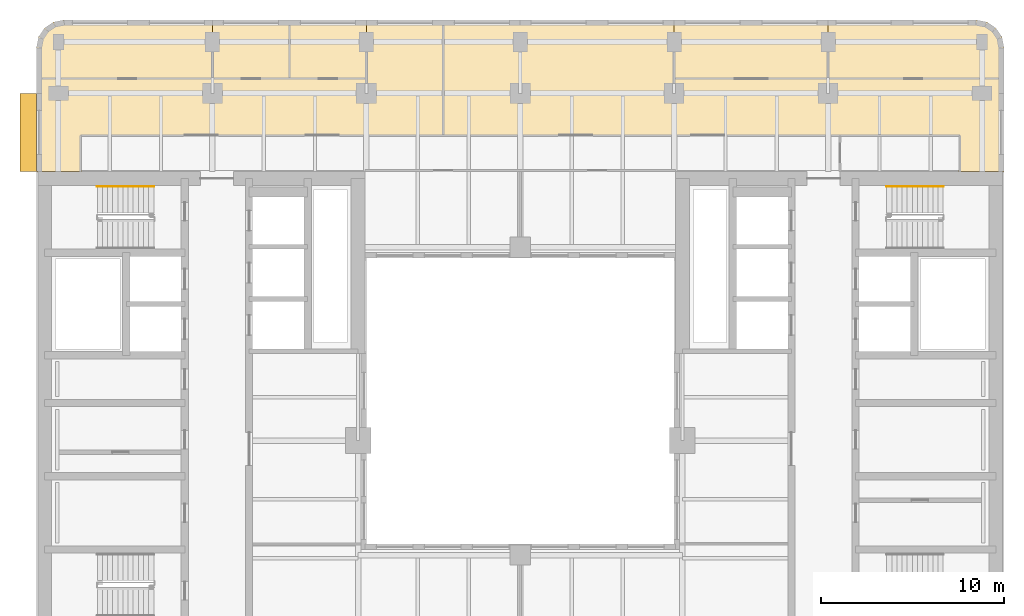
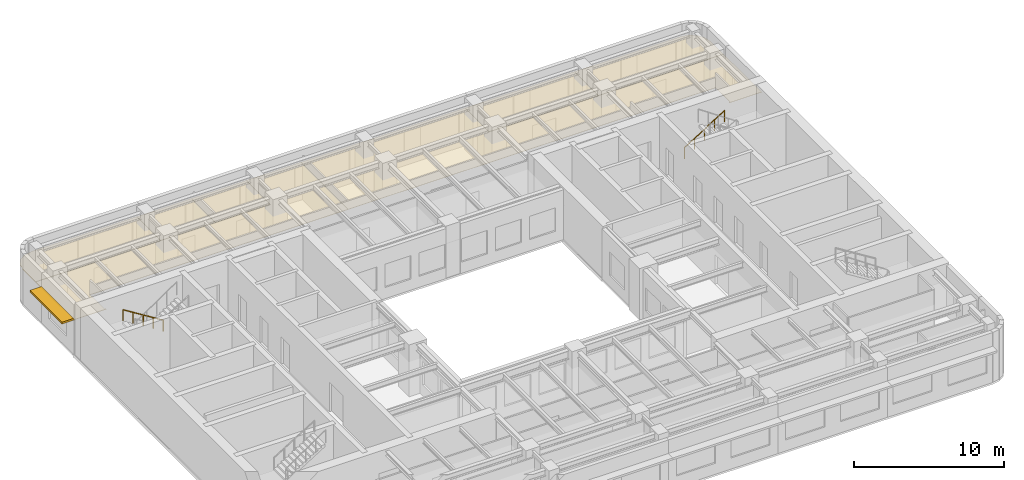
# One storey, part 11 of 11: 7 coverings, 2 railings, 1 shading device.
"""IFC4 building model written with IfcOpenShell, lengths in metres."""

import ifcopenshell
import ifcopenshell.guid

model = None  # the IFC model being written
_history = None  # IfcOwnerHistory: only IFC2X3 demands one
_inside = {}  # id of a spatial element -> (the spatial element, [elements in it])
_under = {}  # id of a project, library or spatial element -> (it, [spatial elements below it])
_declared = {}  # id of a project -> (the project, [libraries it declares])
_typed = {}  # id of a type object -> (the type object, [elements of that type])
_made_of = {}  # id of a material, layer set ... -> (it, [elements and type objects made of it])


def new_model(schema):
    """Start an empty IFC model of exactly this schema.

    Asked for "IFC4X3", IfcOpenShell would pick the latest addendum, in which some entities
    have other attributes; the version numbers below select the first issue.
    IFC2X3 requires an IfcOwnerHistory on every rooted entity: one is made here for all.
    """
    global model, _history
    if schema == "IFC4X3":
        model = ifcopenshell.file(schema_version=(4, 3, 0, 0))
    else:
        model = ifcopenshell.file(schema=schema)
    _inside.clear()
    _under.clear()
    _declared.clear()
    _typed.clear()
    _made_of.clear()
    _history = None
    if model.schema == "IFC2X3":
        org = make("IfcOrganization", Name="unknown")
        user = make(
            "IfcPersonAndOrganization",
            ThePerson=make("IfcPerson", FamilyName="unknown"),
            TheOrganization=org,
        )
        app = make(
            "IfcApplication",
            ApplicationDeveloper=org,
            Version="unknown",
            ApplicationFullName="unknown",
            ApplicationIdentifier="unknown",
        )
        _history = make(
            "IfcOwnerHistory",
            OwningUser=user,
            OwningApplication=app,
            ChangeAction="ADDED",
            CreationDate=0,
        )
    return model


def make(cls, **values):
    """One entity of the class cls with the attributes given. An attribute that is None is left unset."""
    return model.create_entity(
        cls, **{name: value for name, value in values.items() if value is not None}
    )


def rooted(cls, **values):
    """An entity with a GlobalId (a new one), such as an element, a storey or a relation."""
    return make(cls, GlobalId=ifcopenshell.guid.new(), OwnerHistory=_history, **values)


def si_unit(unit_type, name, prefix=None):
    """IfcSIUnit, for example si_unit("LENGTHUNIT", "METRE", prefix="MILLI")."""
    return make("IfcSIUnit", UnitType=unit_type, Prefix=prefix, Name=name)


def assignment(units):
    """IfcUnitAssignment: the units of a project."""
    return None if units is None else make("IfcUnitAssignment", Units=units)


def point(xyz):
    """IfcCartesianPoint."""
    return None if xyz is None else make("IfcCartesianPoint", Coordinates=xyz)


def direction(xyz):
    """IfcDirection."""
    return None if xyz is None else make("IfcDirection", DirectionRatios=xyz)


def frame(location, z_axis=None, x_axis=None):
    """IfcAxis2Placement3D, a coordinate frame: its origin and axes. An axis left out is left unset."""
    return make(
        "IfcAxis2Placement3D",
        Location=point(location),
        Axis=direction(z_axis),
        RefDirection=direction(x_axis),
    )


def frame_2d(location, x_axis=None):
    """IfcAxis2Placement2D, a coordinate frame in the plane: its origin and x axis."""
    return make(
        "IfcAxis2Placement2D", Location=point(location), RefDirection=direction(x_axis)
    )


def origin():
    """The frame at (0, 0, 0) with its axes left unset."""
    return frame((0.0, 0.0, 0.0))


def origin_2d():
    """The frame at (0, 0) in the plane with its x axis left unset."""
    return frame_2d((0.0, 0.0))


def place(relative_to, where):
    """IfcLocalPlacement: puts the frame where relative to a parent placement (None: the world)."""
    return make(
        "IfcLocalPlacement", PlacementRelTo=relative_to, RelativePlacement=where
    )


def context(
    kind, dimensions, precision=None, world=None, true_north=None, identifier=None
):
    """IfcGeometricRepresentationContext, for example the 3D "Model" context."""
    return make(
        "IfcGeometricRepresentationContext",
        ContextIdentifier=identifier,
        ContextType=kind,
        CoordinateSpaceDimension=dimensions,
        Precision=precision,
        WorldCoordinateSystem=world,
        TrueNorth=true_north,
    )


def subcontext(parent, identifier, kind, view, scale=None):
    """IfcGeometricRepresentationSubContext, for example "Body" below "Model"."""
    return make(
        "IfcGeometricRepresentationSubContext",
        ContextIdentifier=identifier,
        ContextType=kind,
        ParentContext=parent,
        TargetScale=scale,
        TargetView=view,
    )


def project(units=None, contexts=None):
    """IfcProject with its units and contexts."""
    return rooted(
        "IfcProject",
        Name="project",
        RepresentationContexts=contexts,
        UnitsInContext=assignment(units),
    )


def spatial(cls, under=None, at=None, **own):
    """A site, building, storey or space (cls), placed at a placement, below another one or the project."""
    s = rooted(cls, ObjectPlacement=at, **own)
    if under is not None:
        _under.setdefault(under.id(), (under, []))[1].append(s)
    return s


def polyline(points):
    """IfcPolyline through the points."""
    return make("IfcPolyline", Points=[point(p) for p in points])


def profile(cls, at=None, kind="AREA", **sizes):
    """A parametric profile (cls). Its sizes go by their IFC names, for example OverallWidth=200.0."""
    return make(cls, ProfileType=kind, Position=at, **sizes)


def rectangle(**sizes):
    """IfcRectangleProfileDef."""
    return profile("IfcRectangleProfileDef", **sizes)


def circle(**sizes):
    """IfcCircleProfileDef."""
    return profile("IfcCircleProfileDef", **sizes)


def outline(outer, holes=None, kind="AREA"):
    """IfcArbitraryClosedProfileDef: a profile drawn as a closed curve; with holes, ...WithVoids."""
    if holes is None:
        return make("IfcArbitraryClosedProfileDef", ProfileType=kind, OuterCurve=outer)
    return make(
        "IfcArbitraryProfileDefWithVoids",
        ProfileType=kind,
        OuterCurve=outer,
        InnerCurves=holes,
    )


def extrude(swept, where, along, depth):
    """IfcExtrudedAreaSolid: the profile swept, set in the frame where, extruded along a direction by depth."""
    return make(
        "IfcExtrudedAreaSolid",
        SweptArea=swept,
        Position=where,
        ExtrudedDirection=direction(along),
        Depth=depth,
    )


def shape(context_of_items, identifier, shape_type, items):
    """IfcShapeRepresentation: the items that make up one representation, for example the "Body"."""
    return make(
        "IfcShapeRepresentation",
        ContextOfItems=context_of_items,
        RepresentationIdentifier=identifier,
        RepresentationType=shape_type,
        Items=items,
    )


def material(Name=None, Category=None):
    """IfcMaterial."""
    return make("IfcMaterial", Name=Name, Category=Category)


def layer(
    of_material, thickness, ventilated=None, Name=None, Category=None, Priority=None
):
    """IfcMaterialLayer: one layer of a wall or slab, of a material (None: an air gap)."""
    return make(
        "IfcMaterialLayer",
        Material=of_material,
        LayerThickness=thickness,
        IsVentilated=ventilated,
        Name=Name,
        Category=Category,
        Priority=Priority,
    )


def layer_set(layers, Name=None):
    """IfcMaterialLayerSet."""
    return make("IfcMaterialLayerSet", MaterialLayers=layers, LayerSetName=Name)


def made_of(thing, what):
    """Note that an element or type object is made of a material, layer set ...; save() writes the relation."""
    if what is not None:
        _made_of.setdefault(what.id(), (what, []))[1].append(thing)
    return thing


def type_object(cls, material=None, **own):
    """A type object (cls), such as IfcWallType, which elements share."""
    return made_of(rooted(cls, **own), material)


def element(
    cls,
    number,
    at=None,
    inside=None,
    cuts=None,
    type_object=None,
    material=None,
    context=None,
    identifier="Body",
    shape_type=None,
    held_by="IfcProductDefinitionShape",
    body=None,
    shapes=None,
    **own,
):
    """One element of the class cls, such as IfcWall. Its Tag is "e" and its number.

    at: its placement. inside: the storey or other place that contains it. cuts: it is an
    opening in that element (IfcRelVoidsElement). A single representation is given by context,
    identifier, shape_type and body (its items); several are given by shapes. held_by: the class
    of the entity that holds the representations. save() writes the other relations.
    """
    e = rooted(cls, Tag="e%d" % number, ObjectPlacement=at, **own)
    if body is not None:
        shapes = [shape(context, identifier, shape_type, body)]
    if shapes is not None:
        e.Representation = make(held_by, Representations=shapes)
    if inside is not None:
        _inside.setdefault(inside.id(), (inside, []))[1].append(e)
    if cuts is not None:
        rooted(
            "IfcRelVoidsElement", RelatingBuildingElement=cuts, RelatedOpeningElement=e
        )
    if type_object is not None:
        _typed.setdefault(type_object.id(), (type_object, []))[1].append(e)
    return made_of(e, material)


def aggregate(whole, parts):
    """IfcRelAggregates: a whole, such as a stair, and the parts it consists of."""
    return rooted("IfcRelAggregates", RelatingObject=whole, RelatedObjects=parts)


def save(model, path):
    """Write the relations noted so far, then the file.

    IfcRelAggregates (storeys below a building ...), IfcRelContainedInSpatialStructure (elements
    in a storey), IfcRelDefinesByType, IfcRelAssociatesMaterial and IfcRelDeclares: one each for
    every whole, place, type object, material and project.
    """
    for whole, parts in _under.values():
        aggregate(whole, parts)
    for where, things in _inside.values():
        rooted(
            "IfcRelContainedInSpatialStructure",
            RelatedElements=things,
            RelatingStructure=where,
        )
    for kind, things in _typed.values():
        rooted("IfcRelDefinesByType", RelatedObjects=things, RelatingType=kind)
    for what, things in _made_of.values():
        rooted("IfcRelAssociatesMaterial", RelatedObjects=things, RelatingMaterial=what)
    for by, libraries in _declared.values():
        rooted("IfcRelDeclares", RelatingContext=by, RelatedDefinitions=libraries)
    model.write(path)


model = new_model("IFC4")

# Units and contexts
model_context = context("Model", 3, precision=1e-05, world=origin(), true_north=direction((0.0, 1.0)))
body_context = subcontext(model_context, "Body", "Model", "MODEL_VIEW")
ifc_project = project(units=[si_unit("LENGTHUNIT", "METRE"), si_unit("AREAUNIT", "SQUARE_METRE"), si_unit("VOLUMEUNIT", "CUBIC_METRE"), si_unit("PLANEANGLEUNIT", "RADIAN"), si_unit("MASSUNIT", "GRAM", prefix="KILO")], contexts=[model_context])

# Site, building, storey
site_placement = place(None, origin())
site = spatial("IfcSite", under=ifc_project, at=site_placement, CompositionType="ELEMENT")
building_placement = place(site_placement, origin())
building = spatial("IfcBuilding", under=site, at=building_placement, Name="Claustro Exchange Tower", CompositionType="ELEMENT")
storey_placement = place(building_placement, frame((0.0, 0.0, 215.39990234375)))
storey = spatial("IfcBuildingStorey", under=building, at=storey_placement, Name="L49", CompositionType="ELEMENT", Elevation=215.39990234375)

# Coverings
ifc_material_1 = material(Name="Perforated metal ceiling tiles", Category="steel")
ifc_layer_1 = layer(ifc_material_1, 0.030029296875)
ifc_layer_set_1 = layer_set([ifc_layer_1], Name="Perforated metal ceiling tiles")
covering_type_1 = type_object("IfcCoveringType", Name="CL1 suspended metal ceiling", PredefinedType="CEILING", material=ifc_layer_set_1)
covering_1_placement = place(storey_placement, frame((0.0, 0.0, 2.800048828125)))
element("IfcCovering", 1, at=covering_1_placement, inside=storey, type_object=covering_type_1, Name="Ceiling CL1 L49-18", PredefinedType="CEILING", context=body_context, shape_type="SweptSolid", body=[
    extrude(outline(polyline([(-1.125, 37.72509765625), (1.294921875, 37.72509765625), (1.294921875, 37.800048828125), (1.199951171875, 37.800048828125), (1.199951171875, 39.699951171875), (21.0, 39.699951171875), (21.0, 46.0), (16.800048828125, 46.0), (16.800048828125, 42.800048828125), (-1.199951171875, 42.800048828125), (-1.199951171875, 37.705078125), (-1.125, 37.705078125), (-1.125, 37.72509765625)])), origin(), (0.0, 0.0, 1.0), 0.030029296875),
])
ifc_material_2 = material(Name="Gypsum board ceiling", Category="gypsum board")
ifc_layer_2 = layer(ifc_material_2, 0.02490234375)
ifc_layer_set_2 = layer_set([ifc_layer_2], Name="Gypsum board ceiling")
covering_type_2 = type_object("IfcCoveringType", Name="CL2 plasterboard ceiling", PredefinedType="CEILING", material=ifc_layer_set_2)
covering_2_placement = place(storey_placement, frame((0.0, 0.0, 2.800048828125)))
element("IfcCovering", 2, at=covering_2_placement, inside=storey, type_object=covering_type_2, Name="Ceiling CL2 L49-19", PredefinedType="CEILING", context=body_context, shape_type="SweptSolid", body=[
    extrude(outline(polyline([(51.52490234375, 37.72509765625), (51.52490234375, 37.705078125), (51.60009765625, 37.705078125), (51.60009765625, 42.800048828125), (33.60009765625, 42.800048828125), (33.60009765625, 46.0), (21.0, 46.0), (21.0, 39.699951171875), (49.199951171875, 39.699951171875), (49.199951171875, 37.800048828125), (49.10498046875, 37.800048828125), (49.10498046875, 37.72509765625), (51.52490234375, 37.72509765625)])), origin(), (0.0, 0.0, 1.0), 0.025146484375),
])
covering_3_placement = place(storey_placement, frame((0.0, 0.0, 2.800048828125)))
element("IfcCovering", 3, at=covering_3_placement, inside=storey, type_object=covering_type_2, Name="Ceiling CL2 L49-20", PredefinedType="CEILING", context=body_context, shape_type="SweptSolid", body=[
    extrude(outline(polyline([(-1.199951171875, 44.5), (-1.199951171875, 42.800048828125), (8.39990234375, 42.800048828125), (8.39990234375, 46.0), (0.300048828125, 46.0), (-0.27392578125, 45.8857421875), (-0.7607421875, 45.560791015625), (-1.085693359375, 45.073974609375), (-1.199951171875, 44.5)])), origin(), (0.0, 0.0, 1.0), 0.025146484375),
])
covering_4_placement = place(storey_placement, frame((0.0, 0.0, 2.800048828125)))
element("IfcCovering", 4, at=covering_4_placement, inside=storey, type_object=covering_type_2, Name="Ceiling CL2 L49-21", PredefinedType="CEILING", context=body_context, shape_type="SweptSolid", body=[
    extrude(outline(polyline([(12.60009765625, 46.0), (8.39990234375, 46.0), (8.39990234375, 42.800048828125), (12.60009765625, 42.800048828125), (12.60009765625, 46.0)])), origin(), (0.0, 0.0, 1.0), 0.025146484375),
])
covering_5_placement = place(storey_placement, frame((0.0, 0.0, 2.800048828125)))
element("IfcCovering", 5, at=covering_5_placement, inside=storey, type_object=covering_type_2, Name="Ceiling CL2 L49-22", PredefinedType="CEILING", context=body_context, shape_type="SweptSolid", body=[
    extrude(outline(polyline([(16.800048828125, 46.0), (12.60009765625, 46.0), (12.60009765625, 42.800048828125), (16.800048828125, 42.800048828125), (16.800048828125, 46.0)])), origin(), (0.0, 0.0, 1.0), 0.025146484375),
])
covering_6_placement = place(storey_placement, frame((0.0, 0.0, 2.800048828125)))
element("IfcCovering", 6, at=covering_6_placement, inside=storey, type_object=covering_type_2, Name="Ceiling CL2 L49-23", PredefinedType="CEILING", context=body_context, shape_type="SweptSolid", body=[
    extrude(outline(polyline([(42.0, 46.0), (33.60009765625, 46.0), (33.60009765625, 42.800048828125), (42.0, 42.800048828125), (42.0, 46.0)])), origin(), (0.0, 0.0, 1.0), 0.025146484375),
])
covering_7_placement = place(storey_placement, frame((0.0, 0.0, 2.800048828125)))
element("IfcCovering", 7, at=covering_7_placement, inside=storey, type_object=covering_type_2, Name="Ceiling CL2 L49-24", PredefinedType="CEILING", context=body_context, shape_type="SweptSolid", body=[
    extrude(outline(polyline([(50.10009765625, 46.0), (42.0, 46.0), (42.0, 42.800048828125), (51.60009765625, 42.800048828125), (51.60009765625, 44.5), (51.48583984375, 45.073974609375), (51.16064453125, 45.560791015625), (50.674072265625, 45.8857421875), (50.10009765625, 46.0)])), origin(), (0.0, 0.0, 1.0), 0.025146484375),
])

# Railings
ifc_material_3 = material(Name="Stainless steel tube", Category="steel")
railing_type = type_object("IfcRailingType", Name="HR1 900 stair handrail", PredefinedType="HANDRAIL", material=ifc_material_3)
railing_1_placement = place(storey_placement, frame((5.199951171875, 36.9150390625, 0.175048828125)))
element("IfcRailing", 8, at=railing_1_placement, inside=storey, type_object=railing_type, Name="Handrail HR1 stair STWB L49", PredefinedType="HANDRAIL", context=body_context, shape_type="SweptSolid", body=[
    extrude(circle(Radius=0.02392578125, at=origin_2d()), frame((0.0, 0.0, 0.8759765625), z_axis=(-0.847979421464, 0.0, 0.530029150871), x_axis=(0.0, -1.0, 0.0)), (0.0, 0.0, 1.0), 3.632080078125),
    extrude(circle(Radius=0.02099609375, at=origin_2d()), origin(), (0.0, 0.0, 1.0), 0.851806640625),
    extrude(circle(Radius=0.02099609375, at=origin_2d()), frame((-0.77001953125, 0.0, 0.481201171875)), (0.0, 0.0, 1.0), 0.851806640625),
    extrude(circle(Radius=0.02099609375, at=origin_2d()), frame((-1.5400390625, 0.0, 0.96240234375)), (0.0, 0.0, 1.0), 0.851806640625),
    extrude(circle(Radius=0.02099609375, at=origin_2d()), frame((-2.309814453125, 0.0, 1.44384765625)), (0.0, 0.0, 1.0), 0.851806640625),
    extrude(circle(Radius=0.02099609375, at=origin_2d()), frame((-3.079833984375, 0.0, 1.925048828125)), (0.0, 0.0, 1.0), 0.851806640625),
])
railing_2_placement = place(storey_placement, frame((45.199951171875, 36.9150390625, 0.175048828125)))
element("IfcRailing", 9, at=railing_2_placement, inside=storey, type_object=railing_type, Name="Handrail HR1 stair STEB L49", PredefinedType="HANDRAIL", context=body_context, shape_type="SweptSolid", body=[
    extrude(circle(Radius=0.02392578125, at=origin_2d()), frame((0.0, 0.0, 0.8759765625), z_axis=(0.847998304005, 0.0, 0.529998940003), x_axis=(0.0, 1.0, 0.0)), (0.0, 0.0, 1.0), 3.632080078125),
    extrude(circle(Radius=0.02099609375, at=origin_2d()), origin(), (0.0, 0.0, 1.0), 0.851806640625),
    extrude(circle(Radius=0.02099609375, at=origin_2d()), frame((0.77001953125, 0.0, 0.481201171875)), (0.0, 0.0, 1.0), 0.851806640625),
    extrude(circle(Radius=0.02099609375, at=origin_2d()), frame((1.5400390625, 0.0, 0.96240234375)), (0.0, 0.0, 1.0), 0.851806640625),
    extrude(circle(Radius=0.02099609375, at=origin_2d()), frame((2.31005859375, 0.0, 1.44384765625)), (0.0, 0.0, 1.0), 0.851806640625),
    extrude(circle(Radius=0.02099609375, at=origin_2d()), frame((3.080078125, 0.0, 1.925048828125)), (0.0, 0.0, 1.0), 0.851806640625),
])

# Shading device
ifc_material_4 = material(Name="Concrete HA-40 (C40/50), precast, white cement, acid-etched", Category="concrete")
ifc_layer_3 = layer(ifc_material_4, 0.14990234375)
ifc_layer_set_3 = layer_set([ifc_layer_3], Name="Concrete HA-40 (C40/50), precast, white cement, acid-etched")
shading_device_type = type_object("IfcShadingDeviceType", Name="SS2 900 precast concrete SUNSHADE", PredefinedType="SHUTTER", material=ifc_layer_set_3)
shading_device_placement = place(storey_placement, frame((-1.64990234375, 39.862548828125, 2.800048828125), z_axis=(0.0, 0.0, 1.0), x_axis=(0.0, 1.0, 0.0)))
element("IfcShadingDevice", 10, at=shading_device_placement, inside=storey, type_object=shading_device_type, Name="Precast SUNSHADE SS2 L49", PredefinedType="SHUTTER", context=body_context, shape_type="SweptSolid", body=[
    extrude(rectangle(XDim=4.27490234375, YDim=0.89990234375, at=origin_2d()), origin(), (0.0, 0.0, 1.0), 0.14990234375),
])

save(model, "model.ifc")
